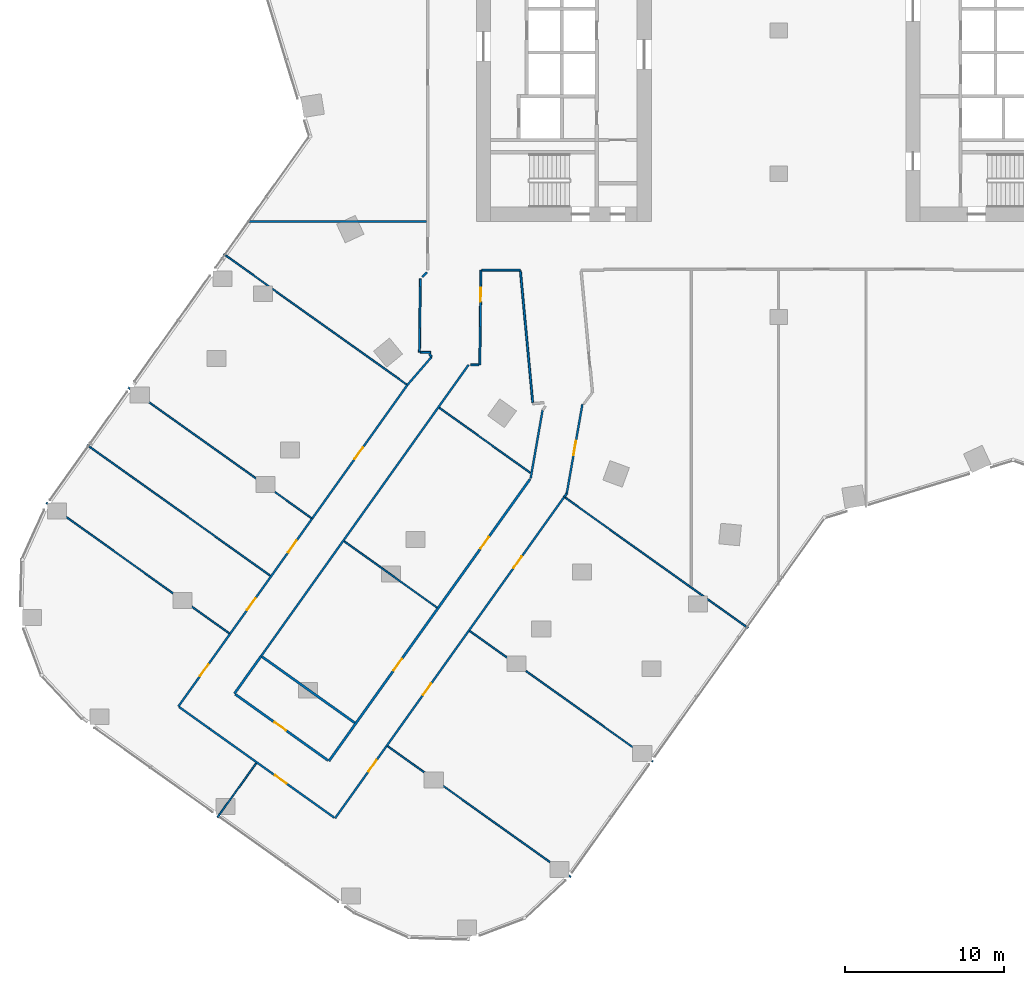
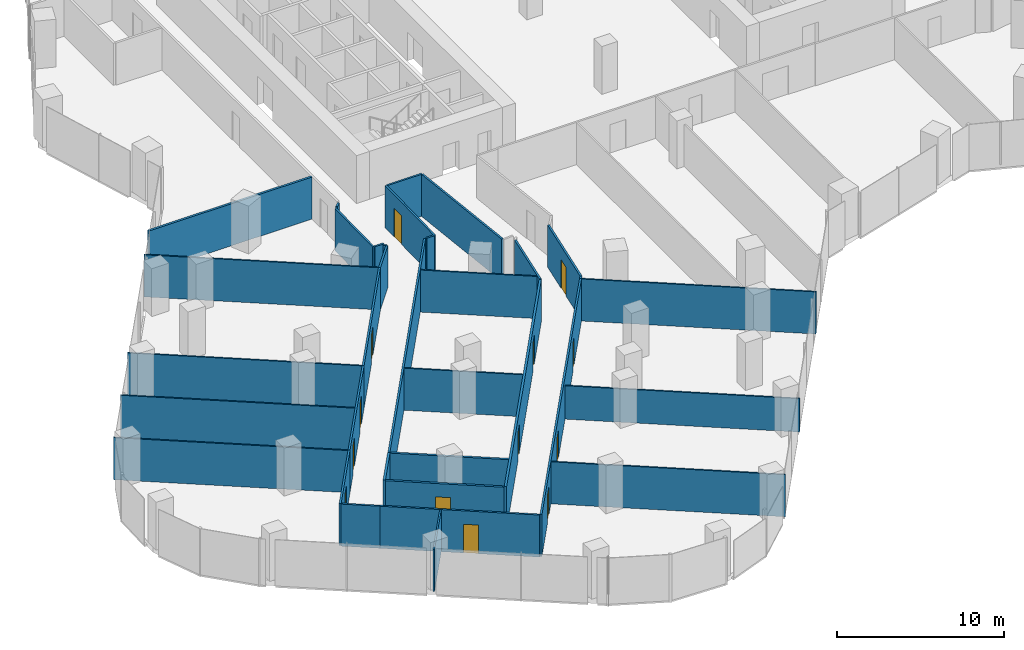
# One storey, part 23 of 31: 34 walls, 13 doors, 13 openings.
"""IFC4 building model written with IfcOpenShell, lengths in metres."""

from ifc_helpers import new_model, si_unit, direction, frame, frame_2d, origin, place, context, subcontext, project, spatial, rectangle, extrude, material, layer, layer_set, type_object, element, fill, save


model = new_model("IFC4")

# Units and contexts
model_context = context("Model", 3, precision=1e-05, world=origin(), true_north=direction((0.0, 1.0)))
body_context = subcontext(model_context, "Body", "Model", "MODEL_VIEW")
ifc_project = project(units=[si_unit("LENGTHUNIT", "METRE"), si_unit("AREAUNIT", "SQUARE_METRE"), si_unit("VOLUMEUNIT", "CUBIC_METRE"), si_unit("PLANEANGLEUNIT", "RADIAN"), si_unit("MASSUNIT", "GRAM", prefix="KILO")], contexts=[model_context])

# Site, building, storey
site_placement = place(None, origin())
site = spatial("IfcSite", under=ifc_project, at=site_placement, CompositionType="ELEMENT")
building_placement = place(site_placement, origin())
building = spatial("IfcBuilding", under=site, at=building_placement, Name="Orlundy Tower", CompositionType="ELEMENT")
storey_placement = place(building_placement, frame((0.0, 0.0, 94.699951171875)))
storey = spatial("IfcBuildingStorey", under=building, at=storey_placement, Name="L23", CompositionType="ELEMENT", Elevation=94.699951171875)

# Walls
ifc_material_1 = material(Name="Gypsum board partition")
ifc_layer_1 = layer(ifc_material_1, 0.10009765625)
ifc_layer_set_1 = layer_set([ifc_layer_1], Name="Floor partition 100")
wall_type_1 = type_object("IfcWallType", Name="Floor partition 100", PredefinedType="PARTITIONING", material=ifc_layer_set_1)
wall_1_placement = place(storey_placement, frame((-46.0439453125, -29.679931640625, 0.0), z_axis=(0.0, 0.0, 1.0), x_axis=(0.814139435618, -0.580669423486, 0.0)))
element("IfcWall", 1, at=wall_1_placement, inside=storey, type_object=wall_type_1, Name="wall-int-L23-010", PredefinedType="PARTITIONING", context=body_context, shape_type="SweptSolid", body=[
    extrude(rectangle(XDim=14.1337890625, YDim=0.10009765625, at=frame_2d((7.06689453125, 0.0))), origin(), (0.0, 0.0, 1.0), 3.080078125),
])
wall_2_placement = place(storey_placement, frame((-24.5810546875, -44.988037109375, 0.0), z_axis=(0.0, 0.0, 1.0), x_axis=(0.814126528241, -0.580687520112, 0.0)))
element("IfcWall", 2, at=wall_2_placement, inside=storey, type_object=wall_type_1, Name="wall-int-L23-012", PredefinedType="PARTITIONING", context=body_context, shape_type="SweptSolid", body=[
    extrude(rectangle(XDim=14.13671875, YDim=0.10009765625, at=frame_2d((7.068359375, 0.0))), origin(), (0.0, 0.0, 1.0), 3.080078125),
])
wall_3_placement = place(storey_placement, frame((-43.4599609375, -26.056884765625, 0.0), z_axis=(0.0, 0.0, 1.0), x_axis=(0.814102199131, -0.580721628124, 0.0)))
element("IfcWall", 3, at=wall_3_placement, inside=storey, type_object=wall_type_1, Name="wall-int-L23-013", PredefinedType="PARTITIONING", context=body_context, shape_type="SweptSolid", body=[
    extrude(rectangle(XDim=14.130859375, YDim=0.10009765625, at=frame_2d((7.0654296875, 0.0))), origin(), (0.0, 0.0, 1.0), 3.080078125),
])
wall_4_placement = place(storey_placement, frame((-40.875, -22.43310546875, 0.0), z_axis=(0.0, 0.0, 1.0), x_axis=(0.814073113892, -0.580762399987, 0.0)))
element("IfcWall", 4, at=wall_4_placement, inside=storey, type_object=wall_type_1, Name="wall-int-L23-014", PredefinedType="PARTITIONING", context=body_context, shape_type="SweptSolid", body=[
    extrude(rectangle(XDim=14.127685546875, YDim=0.10009765625, at=frame_2d((7.06396484375, 0.0))), origin(), (0.0, 0.0, 1.0), 3.080078125),
])
wall_5_placement = place(storey_placement, frame((-27.31689453125, -32.10400390625, 0.0), z_axis=(0.0, 0.0, 1.0), x_axis=(0.814119765042, -0.580697002031, 0.0)))
element("IfcWall", 5, at=wall_5_placement, inside=storey, type_object=wall_type_1, Name="wall-int-L23-015", PredefinedType="PARTITIONING", context=body_context, shape_type="SweptSolid", body=[
    extrude(rectangle(XDim=7.1708984375, YDim=0.10009765625, at=frame_2d((3.58544921875, 0.0))), origin(), (0.0, 0.0, 1.0), 3.080078125),
])
wall_6_placement = place(storey_placement, frame((-34.889892578125, -14.04296875, 0.0), z_axis=(0.0, 0.0, 1.0), x_axis=(0.814114134431, -0.580704895898, 0.0)))
element("IfcWall", 6, at=wall_6_placement, inside=storey, type_object=wall_type_1, Name="wall-int-L23-017", PredefinedType="PARTITIONING", context=body_context, shape_type="SweptSolid", body=[
    extrude(rectangle(XDim=14.12060546875, YDim=0.10009765625, at=frame_2d((7.060302734375, 0.0))), origin(), (0.0, 0.0, 1.0), 3.080078125),
])
wall_7_placement = place(storey_placement, frame((-21.3369140625, -23.708984375, 0.0), z_axis=(0.0, 0.0, 1.0), x_axis=(0.814073636445, -0.580761667507, 0.0)))
element("IfcWall", 7, at=wall_7_placement, inside=storey, type_object=wall_type_1, Name="wall-int-L23-018", PredefinedType="PARTITIONING", context=body_context, shape_type="SweptSolid", body=[
    extrude(rectangle(XDim=7.02880859375, YDim=0.10009765625, at=frame_2d((3.514404296875, 0.0))), origin(), (0.0, 0.0, 1.0), 3.080078125),
])
wall_8_placement = place(storey_placement, frame((-13.427001953125, -29.35107421875, 0.0), z_axis=(0.0, 0.0, 1.0), x_axis=(0.814070572037, -0.580765962969, 0.0)))
element("IfcWall", 8, at=wall_8_placement, inside=storey, type_object=wall_type_1, Name="wall-int-L23-019", PredefinedType="PARTITIONING", context=body_context, shape_type="SweptSolid", body=[
    extrude(rectangle(XDim=14.136474609375, YDim=0.10009765625, at=frame_2d((7.068359375, 0.0))), origin(), (0.0, 0.0, 1.0), 3.080078125),
])
wall_9_placement = place(storey_placement, frame((-35.277099609375, -49.4580078125, 0.0), z_axis=(0.0, 0.0, 1.0), x_axis=(0.580636826357, 0.814162683914, 0.0)))
element("IfcWall", 9, at=wall_9_placement, inside=storey, type_object=wall_type_1, Name="wall-int-L23-054", PredefinedType="PARTITIONING", context=body_context, shape_type="SweptSolid", body=[
    extrude(rectangle(XDim=4.18701171875, YDim=0.10009765625, at=frame_2d((2.093505859375, 0.0))), origin(), (0.0, 0.0, 1.0), 3.080078125),
])
ifc_material_2 = material(Name="Gypsum board partition")
ifc_layer_2 = layer(ifc_material_2, 0.10009765625)
ifc_layer_set_2 = layer_set([ifc_layer_2], Name="Floor partition 100 B")
wall_type_2 = type_object("IfcWallType", Name="Floor partition 100 B", PredefinedType="PARTITIONING", material=ifc_layer_set_2)
wall_10_placement = place(storey_placement, frame((-19.4130859375, -37.741943359375, 0.0), z_axis=(0.0, 0.0, 1.0), x_axis=(0.81409387042, -0.580733303801, 0.0)))
element("IfcWall", 10, at=wall_10_placement, inside=storey, type_object=wall_type_2, Name="wall-int-L23-016", PredefinedType="PARTITIONING", context=body_context, shape_type="SweptSolid", body=[
    extrude(rectangle(XDim=14.13720703125, YDim=0.10009765625, at=frame_2d((7.068603515625, 0.0))), origin(), (0.0, 0.0, 1.0), 2.445068359375),
])
ifc_material_3 = material(Name="Gypsum board partition, double layer")
ifc_layer_3 = layer(ifc_material_3, 0.125)
ifc_layer_set_3 = layer_set([ifc_layer_3], Name="Floor partition 125")
wall_type_3 = type_object("IfcWallType", Name="Floor partition 125", PredefinedType="PARTITIONING", material=ifc_layer_set_3)
wall_11_placement = place(storey_placement, frame((-16.23388671875, -15.113037109375, 0.0), z_axis=(0.0, 0.0, 1.0), x_axis=(0.093098705764, -0.995656884165, 0.0)))
element("IfcWall", 11, at=wall_11_placement, inside=storey, type_object=wall_type_3, Name="wall-int-L23-003", PredefinedType="PARTITIONING", context=body_context, shape_type="SweptSolid", body=[
    extrude(rectangle(XDim=8.31298828125, YDim=0.125, at=frame_2d((4.156494140625, 0.0))), origin(), (0.0, 0.0, 1.0), 3.080078125),
])
wall_12_placement = place(storey_placement, frame((-21.955078125, -20.330078125, 0.0), z_axis=(0.0, 0.0, 1.0), x_axis=(0.635933908165, -0.771743522451, 0.0)))
element("IfcWall", 12, at=wall_12_placement, inside=storey, type_object=wall_type_3, Name="wall-int-L23-005", PredefinedType="PARTITIONING", context=body_context, shape_type="SweptSolid", body=[
    extrude(rectangle(XDim=0.2265625, YDim=0.125, at=frame_2d((0.11328125, 0.0))), origin(), (0.0, 0.0, 1.0), 3.080078125),
])
wall_13_placement = place(storey_placement, frame((-37.68505859375, -42.52099609375, 0.0), z_axis=(0.0, 0.0, 1.0), x_axis=(0.81441767076, -0.580279120385, 0.0)))
element("IfcWall", 13, at=wall_13_placement, inside=storey, type_object=wall_type_3, Name="wall-int-L23-007", PredefinedType="PARTITIONING", context=body_context, shape_type="SweptSolid", body=[
    extrude(rectangle(XDim=2.336669921875, YDim=0.125, at=frame_2d((1.16845703125, 0.0))), origin(), (0.0, 0.0, 1.0), 3.080078125),
])

# Wall, opening, door
wall_14_placement = place(storey_placement, frame((-27.93798828125, -49.472900390625, 0.0), z_axis=(0.0, 0.0, 1.0), x_axis=(-0.814120225936, 0.580696355871, 0.0)))
wall_14 = element("IfcWall", 14, at=wall_14_placement, inside=storey, type_object=wall_type_3, Name="wall-int-L23-008", PredefinedType="PARTITIONING", context=body_context, shape_type="SweptSolid", body=[
    extrude(rectangle(XDim=9.635009765625, YDim=0.125, at=frame_2d((4.8173828125, 0.0))), origin(), (0.0, 0.0, 1.0), 3.080078125),
])
opening_1_placement = place(wall_14_placement, frame((3.68408203125, 0.0, 0.0)))
opening_1 = element("IfcOpeningElement", 15, at=opening_1_placement, cuts=wall_14, Name="Opening 18114", PredefinedType="OPENING", context=body_context, shape_type="SweptSolid", body=[
    extrude(rectangle(XDim=0.89990234375, YDim=2.10009765625, at=frame_2d((0.449951171875, 1.050048828125))), frame((0.0, 0.072509765625, 0.0), z_axis=(0.0, -1.0, 0.0), x_axis=(1.0, 0.0, 0.0)), (0.0, 0.0, 1.0), 0.14501953125),
])
ifc_material_4 = material(Name="Timber door leaf", Category="wood")
door_type_1 = type_object("IfcDoorType", Name="Floor door single 900 FD30S", OperationType="NOTDEFINED", PredefinedType="DOOR", material=ifc_material_4)
door_1_placement = place(opening_1_placement, origin())
door_1 = element("IfcDoor", 16, at=door_1_placement, inside=storey, type_object=door_type_1, Name="Door 18114", OperationType="SINGLE_SWING_LEFT", OverallHeight=2.10009765625, OverallWidth=0.89990234375, PredefinedType="DOOR", context=body_context, shape_type="SweptSolid", body=[
    extrude(rectangle(XDim=0.89990234375, YDim=2.10009765625, at=frame_2d((0.449951171875, 1.050048828125))), frame((0.0, 0.02490234375, 0.0), z_axis=(0.0, -1.0, 0.0), x_axis=(1.0, 0.0, 0.0)), (0.0, 0.0, 1.0), 0.050048828125),
])
fill(opening_1, door_1)

# Walls
wall_15_placement = place(storey_placement, frame((-19.367919921875, -21.006103515625, 0.0), z_axis=(0.0, 0.0, 1.0), x_axis=(0.999935744707, -0.011336068906, 0.0)))
element("IfcWall", 17, at=wall_15_placement, inside=storey, type_object=wall_type_3, Name="wall-int-L23-029", PredefinedType="PARTITIONING", context=body_context, shape_type="SweptSolid", body=[
    extrude(rectangle(XDim=0.516845703125, YDim=0.125, at=frame_2d((0.25830078125, 0.0))), origin(), (0.0, 0.0, 1.0), 3.080078125),
])
wall_16_placement = place(storey_placement, frame((-22.51708984375, -20.217041015625, 0.0), z_axis=(0.0, 0.0, 1.0), x_axis=(0.99993827732, -0.011110425304, 0.0)))
element("IfcWall", 18, at=wall_16_placement, inside=storey, type_object=wall_type_3, Name="wall-int-L23-030", PredefinedType="PARTITIONING", context=body_context, shape_type="SweptSolid", body=[
    extrude(rectangle(XDim=0.63720703125, YDim=0.125, at=frame_2d((0.318603515625, 0.0))), origin(), (0.0, 0.0, 1.0), 3.080078125),
])
wall_17_placement = place(storey_placement, frame((-18.654052734375, -15.051025390625, 0.0), z_axis=(0.0, 0.0, 1.0), x_axis=(1.0, 0.0, 0.0)))
element("IfcWall", 19, at=wall_17_placement, inside=storey, type_object=wall_type_3, Name="wall-int-L23-031", PredefinedType="PARTITIONING", context=body_context, shape_type="SweptSolid", body=[
    extrude(rectangle(XDim=2.4140625, YDim=0.125, at=frame_2d((1.20703125, 0.0))), origin(), (0.0, 0.0, 1.0), 3.080078125),
])
wall_18_placement = place(storey_placement, frame((-21.81103515625, -20.5048828125, 0.0), z_axis=(0.0, 0.0, 1.0), x_axis=(-0.65355749983, -0.756876868728, 0.0)))
element("IfcWall", 20, at=wall_18_placement, inside=storey, type_object=wall_type_3, Name="wall-int-L23-047", PredefinedType="PARTITIONING", context=body_context, shape_type="SweptSolid", body=[
    extrude(rectangle(XDim=2.343994140625, YDim=0.125, at=frame_2d((1.171875, 0.0))), origin(), (0.0, 0.0, 1.0), 3.080078125),
])
wall_19_placement = place(storey_placement, frame((-22.39501953125, -15.48388671875, 0.0), z_axis=(0.0, 0.0, 1.0), x_axis=(0.712030137996, 0.702148903428, 0.0)))
element("IfcWall", 21, at=wall_19_placement, inside=storey, type_object=wall_type_3, Name="wall-int-L23-048", PredefinedType="PARTITIONING", context=body_context, shape_type="SweptSolid", body=[
    extrude(rectangle(XDim=0.419921875, YDim=0.125, at=frame_2d((0.2099609375, 0.0))), origin(), (0.0, 0.0, 1.0), 3.080078125),
])
wall_20_placement = place(storey_placement, frame((-13.47802734375, -29.31494140625, 0.0), z_axis=(0.0, 0.0, 1.0), x_axis=(0.581578261401, 0.813490458374, 0.0)))
element("IfcWall", 22, at=wall_20_placement, inside=storey, type_object=wall_type_3, Name="wall-int-L23-051", PredefinedType="PARTITIONING", context=body_context, shape_type="SweptSolid", body=[
    extrude(rectangle(XDim=0.271484375, YDim=0.125, at=frame_2d((0.1357421875, 0.0))), origin(), (0.0, 0.0, 1.0), 3.080078125),
])

# Wall, openings, doors
wall_21_placement = place(storey_placement, frame((-13.47998046875, -29.31201171875, 0.0), z_axis=(0.0, 0.0, 1.0), x_axis=(-0.580603145907, -0.814186702767, 0.0)))
wall_21 = element("IfcWall", 23, at=wall_21_placement, inside=storey, type_object=wall_type_3, Name="wall-int-L23-052", PredefinedType="PARTITIONING", context=body_context, shape_type="SweptSolid", body=[
    extrude(rectangle(XDim=24.808837890625, YDim=0.125, at=frame_2d((12.404296875, 0.0))), origin(), (0.0, 0.0, 1.0), 3.080078125),
])
opening_2_placement = place(wall_21_placement, frame((4.60107421875, 0.0, 0.0)))
opening_2 = element("IfcOpeningElement", 24, at=opening_2_placement, cuts=wall_21, Name="Opening 18109", PredefinedType="OPENING", context=body_context, shape_type="SweptSolid", body=[
    extrude(rectangle(XDim=0.89990234375, YDim=2.10009765625, at=frame_2d((0.449951171875, 1.050048828125))), frame((0.0, 0.072509765625, 0.0), z_axis=(0.0, -1.0, 0.0), x_axis=(1.0, 0.0, 0.0)), (0.0, 0.0, 1.0), 0.14501953125),
])
opening_3_placement = place(wall_21_placement, frame((14.408447265625, 0.0, 0.0)))
opening_3 = element("IfcOpeningElement", 25, at=opening_3_placement, cuts=wall_21, Name="Opening 18110", PredefinedType="OPENING", context=body_context, shape_type="SweptSolid", body=[
    extrude(rectangle(XDim=0.89990234375, YDim=2.10009765625, at=frame_2d((0.449951171875, 1.050048828125))), frame((0.0, 0.072509765625, 0.0), z_axis=(0.0, -1.0, 0.0), x_axis=(1.0, 0.0, 0.0)), (0.0, 0.0, 1.0), 0.14501953125),
])
opening_4_placement = place(wall_21_placement, frame((20.30859375, 0.0, 0.0)))
opening_4 = element("IfcOpeningElement", 26, at=opening_4_placement, cuts=wall_21, Name="Opening 18115", PredefinedType="OPENING", context=body_context, shape_type="SweptSolid", body=[
    extrude(rectangle(XDim=0.89990234375, YDim=2.10009765625, at=frame_2d((0.449951171875, 1.050048828125))), frame((0.0, 0.072509765625, 0.0), z_axis=(0.0, -1.0, 0.0), x_axis=(1.0, 0.0, 0.0)), (0.0, 0.0, 1.0), 0.14501953125),
])
door_2_placement = place(opening_2_placement, origin())
door_2 = element("IfcDoor", 27, at=door_2_placement, inside=storey, type_object=door_type_1, Name="Door 18109", OperationType="SINGLE_SWING_LEFT", OverallHeight=2.10009765625, OverallWidth=0.89990234375, PredefinedType="DOOR", context=body_context, shape_type="SweptSolid", body=[
    extrude(rectangle(XDim=0.89990234375, YDim=2.10009765625, at=frame_2d((0.449951171875, 1.050048828125))), frame((0.0, 0.02490234375, 0.0), z_axis=(0.0, -1.0, 0.0), x_axis=(1.0, 0.0, 0.0)), (0.0, 0.0, 1.0), 0.050048828125),
])
fill(opening_2, door_2)
door_3_placement = place(opening_3_placement, origin())
door_3 = element("IfcDoor", 28, at=door_3_placement, inside=storey, type_object=door_type_1, Name="Door 18110", OperationType="SINGLE_SWING_RIGHT", OverallHeight=2.10009765625, OverallWidth=0.89990234375, PredefinedType="DOOR", context=body_context, shape_type="SweptSolid", body=[
    extrude(rectangle(XDim=0.89990234375, YDim=2.10009765625, at=frame_2d((0.449951171875, 1.050048828125))), frame((0.0, 0.02490234375, 0.0), z_axis=(0.0, -1.0, 0.0), x_axis=(1.0, 0.0, 0.0)), (0.0, 0.0, 1.0), 0.050048828125),
])
fill(opening_3, door_3)
door_4_placement = place(opening_4_placement, origin())
door_4 = element("IfcDoor", 29, at=door_4_placement, inside=storey, type_object=door_type_1, Name="Door 18115", OperationType="SINGLE_SWING_RIGHT", OverallHeight=2.10009765625, OverallWidth=0.89990234375, PredefinedType="DOOR", context=body_context, shape_type="SweptSolid", body=[
    extrude(rectangle(XDim=0.89990234375, YDim=2.10009765625, at=frame_2d((0.449951171875, 1.050048828125))), frame((0.0, 0.02490234375, 0.0), z_axis=(0.0, -1.0, 0.0), x_axis=(1.0, 0.0, 0.0)), (0.0, 0.0, 1.0), 0.050048828125),
])
fill(opening_4, door_4)

# Wall
wall_22_placement = place(storey_placement, frame((-32.531982421875, -39.31689453125, 0.0), z_axis=(0.0, 0.0, 1.0), x_axis=(0.58017556932, 0.814491441799, 0.0)))
element("IfcWall", 30, at=wall_22_placement, inside=storey, type_object=wall_type_3, Name="wall-int-L23-055", PredefinedType="PARTITIONING", context=body_context, shape_type="SweptSolid", body=[
    extrude(rectangle(XDim=22.482666015625, YDim=0.125, at=frame_2d((11.2412109375, 0.0))), origin(), (0.0, 0.0, 1.0), 3.080078125),
])

# Wall, opening, door
wall_23_placement = place(storey_placement, frame((-37.736083984375, -42.485107421875, 0.0), z_axis=(0.0, 0.0, 1.0), x_axis=(0.580223472601, 0.814457317385, 0.0)))
wall_23 = element("IfcWall", 31, at=wall_23_placement, inside=storey, type_object=wall_type_3, Name="wall-int-L23-057", PredefinedType="PARTITIONING", context=body_context, shape_type="SweptSolid", body=[
    extrude(rectangle(XDim=5.601318359375, YDim=0.125, at=frame_2d((2.80078125, 0.0))), origin(), (0.0, 0.0, 1.0), 3.080078125),
])
opening_5_placement = place(wall_23_placement, frame((2.35009765625, 0.0, 0.0)))
opening_5 = element("IfcOpeningElement", 32, at=opening_5_placement, cuts=wall_23, Name="Opening 18116", PredefinedType="OPENING", context=body_context, shape_type="SweptSolid", body=[
    extrude(rectangle(XDim=0.89990234375, YDim=2.10009765625, at=frame_2d((0.449951171875, 1.050048828125))), frame((0.0, 0.072509765625, 0.0), z_axis=(0.0, -1.0, 0.0), x_axis=(1.0, 0.0, 0.0)), (0.0, 0.0, 1.0), 0.14501953125),
])
door_5_placement = place(opening_5_placement, origin())
door_5 = element("IfcDoor", 33, at=door_5_placement, inside=storey, type_object=door_type_1, Name="Door 18116", OperationType="SINGLE_SWING_LEFT", OverallHeight=2.10009765625, OverallWidth=0.89990234375, PredefinedType="DOOR", context=body_context, shape_type="SweptSolid", body=[
    extrude(rectangle(XDim=0.89990234375, YDim=2.10009765625, at=frame_2d((0.449951171875, 1.050048828125))), frame((0.0, 0.02490234375, 0.0), z_axis=(0.0, -1.0, 0.0), x_axis=(1.0, 0.0, 0.0)), (0.0, 0.0, 1.0), 0.050048828125),
])
fill(opening_5, door_5)

wall_24_placement = place(storey_placement, frame((-29.322998046875, -30.674072265625, 0.0), z_axis=(0.0, 0.0, 1.0), x_axis=(0.580180127153, 0.814488195161, 0.0)))
wall_24 = element("IfcWall", 34, at=wall_24_placement, inside=storey, type_object=wall_type_3, Name="wall-int-L23-058", PredefinedType="PARTITIONING", context=body_context, shape_type="SweptSolid", body=[
    extrude(rectangle(XDim=10.30712890625, YDim=0.125, at=frame_2d((5.153564453125, 0.0))), origin(), (0.0, 0.0, 1.0), 3.080078125),
])
opening_6_placement = place(wall_24_placement, frame((4.60009765625, 0.0, 0.0)))
opening_6 = element("IfcOpeningElement", 35, at=opening_6_placement, cuts=wall_24, Name="Opening 18117", PredefinedType="OPENING", context=body_context, shape_type="SweptSolid", body=[
    extrude(rectangle(XDim=0.89990234375, YDim=2.10009765625, at=frame_2d((0.449951171875, 1.050048828125))), frame((0.0, 0.072509765625, 0.0), z_axis=(0.0, -1.0, 0.0), x_axis=(1.0, 0.0, 0.0)), (0.0, 0.0, 1.0), 0.14501953125),
])
door_6_placement = place(opening_6_placement, origin())
door_6 = element("IfcDoor", 36, at=door_6_placement, inside=storey, type_object=door_type_1, Name="Door 18117", OperationType="SINGLE_SWING_LEFT", OverallHeight=2.10009765625, OverallWidth=0.89990234375, PredefinedType="DOOR", context=body_context, shape_type="SweptSolid", body=[
    extrude(rectangle(XDim=0.89990234375, YDim=2.10009765625, at=frame_2d((0.449951171875, 1.050048828125))), frame((0.0, 0.02490234375, 0.0), z_axis=(0.0, -1.0, 0.0), x_axis=(1.0, 0.0, 0.0)), (0.0, 0.0, 1.0), 0.050048828125),
])
fill(opening_6, door_6)

# Wall, openings, doors
wall_25_placement = place(storey_placement, frame((-34.486083984375, -37.923095703125, 0.0), z_axis=(0.0, 0.0, 1.0), x_axis=(0.580137406413, 0.814518624514, 0.0)))
wall_25 = element("IfcWall", 37, at=wall_25_placement, inside=storey, type_object=wall_type_3, Name="wall-int-L23-059", PredefinedType="PARTITIONING", context=body_context, shape_type="SweptSolid", body=[
    extrude(rectangle(XDim=8.899658203125, YDim=0.125, at=frame_2d((4.44970703125, 0.0))), origin(), (0.0, 0.0, 1.0), 3.080078125),
])
opening_7_placement = place(wall_25_placement, frame((6.29931640625, 0.0, 0.0)))
opening_7 = element("IfcOpeningElement", 38, at=opening_7_placement, cuts=wall_25, Name="Opening 18118", PredefinedType="OPENING", context=body_context, shape_type="SweptSolid", body=[
    extrude(rectangle(XDim=0.89990234375, YDim=2.10009765625, at=frame_2d((0.449951171875, 1.050048828125))), frame((0.0, 0.072509765625, 0.0), z_axis=(0.0, -1.0, 0.0), x_axis=(1.0, 0.0, 0.0)), (0.0, 0.0, 1.0), 0.14501953125),
])
opening_8_placement = place(wall_25_placement, frame((1.85009765625, 0.0, 0.0)))
opening_8 = element("IfcOpeningElement", 39, at=opening_8_placement, cuts=wall_25, Name="Opening 18119", PredefinedType="OPENING", context=body_context, shape_type="SweptSolid", body=[
    extrude(rectangle(XDim=0.89990234375, YDim=2.10009765625, at=frame_2d((0.449951171875, 1.050048828125))), frame((0.0, 0.072509765625, 0.0), z_axis=(0.0, -1.0, 0.0), x_axis=(1.0, 0.0, 0.0)), (0.0, 0.0, 1.0), 0.14501953125),
])
door_7_placement = place(opening_7_placement, origin())
door_7 = element("IfcDoor", 40, at=door_7_placement, inside=storey, type_object=door_type_1, Name="Door 18118", OperationType="SINGLE_SWING_RIGHT", OverallHeight=2.10009765625, OverallWidth=0.89990234375, PredefinedType="DOOR", context=body_context, shape_type="SweptSolid", body=[
    extrude(rectangle(XDim=0.89990234375, YDim=2.10009765625, at=frame_2d((0.449951171875, 1.050048828125))), frame((0.0, 0.02490234375, 0.0), z_axis=(0.0, -1.0, 0.0), x_axis=(1.0, 0.0, 0.0)), (0.0, 0.0, 1.0), 0.050048828125),
])
fill(opening_7, door_7)
door_8_placement = place(opening_8_placement, origin())
door_8 = element("IfcDoor", 41, at=door_8_placement, inside=storey, type_object=door_type_1, Name="Door 18119", OperationType="SINGLE_SWING_LEFT", OverallHeight=2.10009765625, OverallWidth=0.89990234375, PredefinedType="DOOR", context=body_context, shape_type="SweptSolid", body=[
    extrude(rectangle(XDim=0.89990234375, YDim=2.10009765625, at=frame_2d((0.449951171875, 1.050048828125))), frame((0.0, 0.02490234375, 0.0), z_axis=(0.0, -1.0, 0.0), x_axis=(1.0, 0.0, 0.0)), (0.0, 0.0, 1.0), 0.050048828125),
])
fill(opening_8, door_8)

# Wall, opening, door
wall_26_placement = place(storey_placement, frame((-12.3369140625, -23.48388671875, 0.0), z_axis=(0.0, 0.0, 1.0), x_axis=(-0.172645513087, -0.984984023632, 0.0)))
wall_26 = element("IfcWall", 42, at=wall_26_placement, inside=storey, type_object=wall_type_3, Name="wall-int-L23-071", PredefinedType="PARTITIONING", context=body_context, shape_type="SweptSolid", body=[
    extrude(rectangle(XDim=5.694580078125, YDim=0.125, at=frame_2d((2.84716796875, 0.0))), origin(), (0.0, 0.0, 1.0), 3.080078125),
])
opening_9_placement = place(wall_26_placement, frame((2.35009765625, 0.0, 0.0)))
opening_9 = element("IfcOpeningElement", 43, at=opening_9_placement, cuts=wall_26, Name="Opening 18123", PredefinedType="OPENING", context=body_context, shape_type="SweptSolid", body=[
    extrude(rectangle(XDim=0.89990234375, YDim=2.10009765625, at=frame_2d((0.449951171875, 1.050048828125))), frame((0.0, 0.072509765625, 0.0), z_axis=(0.0, -1.0, 0.0), x_axis=(1.0, 0.0, 0.0)), (0.0, 0.0, 1.0), 0.14501953125),
])
door_9_placement = place(opening_9_placement, origin())
door_9 = element("IfcDoor", 44, at=door_9_placement, inside=storey, type_object=door_type_1, Name="Door 18123", OperationType="SINGLE_SWING_LEFT", OverallHeight=2.10009765625, OverallWidth=0.89990234375, PredefinedType="DOOR", context=body_context, shape_type="SweptSolid", body=[
    extrude(rectangle(XDim=0.89990234375, YDim=2.10009765625, at=frame_2d((0.449951171875, 1.050048828125))), frame((0.0, 0.02490234375, 0.0), z_axis=(0.0, -1.0, 0.0), x_axis=(1.0, 0.0, 0.0)), (0.0, 0.0, 1.0), 0.050048828125),
])
fill(opening_9, door_9)

# Wall
wall_27_placement = place(storey_placement, frame((-14.840087890625, -23.85693359375, 0.0), z_axis=(0.0, 0.0, 1.0), x_axis=(-0.172581751395, -0.984995197494, 0.0)))
element("IfcWall", 45, at=wall_27_placement, inside=storey, type_object=wall_type_3, Name="wall-int-L23-072", PredefinedType="PARTITIONING", context=body_context, shape_type="SweptSolid", body=[
    extrude(rectangle(XDim=4.351318359375, YDim=0.125, at=frame_2d((2.17578125, 0.0))), origin(), (0.0, 0.0, 1.0), 3.080078125),
])

# Wall, opening, door
wall_28_placement = place(storey_placement, frame((-18.716064453125, -15.050048828125, 0.0), z_axis=(0.0, 0.0, 1.0), x_axis=(-0.012077402732, -0.999927065512, 0.0)))
wall_28 = element("IfcWall", 46, at=wall_28_placement, inside=storey, type_object=wall_type_3, Name="wall-int-L23-073", PredefinedType="PARTITIONING", context=body_context, shape_type="SweptSolid", body=[
    extrude(rectangle(XDim=5.96337890625, YDim=0.125, at=frame_2d((2.981689453125, 0.0))), origin(), (0.0, 0.0, 1.0), 3.080078125),
])
opening_10_placement = place(wall_28_placement, frame((1.10107421875, 0.0, 0.0)))
opening_10 = element("IfcOpeningElement", 47, at=opening_10_placement, cuts=wall_28, Name="Opening 18122", PredefinedType="OPENING", context=body_context, shape_type="SweptSolid", body=[
    extrude(rectangle(XDim=0.89990234375, YDim=2.10009765625, at=frame_2d((0.449951171875, 1.050048828125))), frame((0.0, 0.072509765625, 0.0), z_axis=(0.0, -1.0, 0.0), x_axis=(1.0, 0.0, 0.0)), (0.0, 0.0, 1.0), 0.14501953125),
])
door_10_placement = place(opening_10_placement, origin())
door_10 = element("IfcDoor", 48, at=door_10_placement, inside=storey, type_object=door_type_1, Name="Door 18122", OperationType="SINGLE_SWING_LEFT", OverallHeight=2.10009765625, OverallWidth=0.89990234375, PredefinedType="DOOR", context=body_context, shape_type="SweptSolid", body=[
    extrude(rectangle(XDim=0.89990234375, YDim=2.10009765625, at=frame_2d((0.449951171875, 1.050048828125))), frame((0.0, 0.02490234375, 0.0), z_axis=(0.0, -1.0, 0.0), x_axis=(1.0, 0.0, 0.0)), (0.0, 0.0, 1.0), 0.050048828125),
])
fill(opening_10, door_10)

# Wall
wall_29_placement = place(storey_placement, frame((-22.580078125, -20.216064453125, 0.0), z_axis=(0.0, 0.0, 1.0), x_axis=(0.011952390981, 0.999928567624, 0.0)))
element("IfcWall", 49, at=wall_29_placement, inside=storey, type_object=wall_type_3, Name="wall-int-L23-074", PredefinedType="PARTITIONING", context=body_context, shape_type="SweptSolid", body=[
    extrude(rectangle(XDim=4.6162109375, YDim=0.125, at=frame_2d((2.30810546875, 0.0))), origin(), (0.0, 0.0, 1.0), 3.080078125),
])

# Wall, opening, door
ifc_material_5 = material(Name="Blockwork shaft wall", Category="masonry")
ifc_layer_4 = layer(ifc_material_5, 0.14990234375)
ifc_layer_set_4 = layer_set([ifc_layer_4], Name="Floor shaft wall 150")
wall_type_4 = type_object("IfcWallType", Name="Floor shaft wall 150", PredefinedType="PARTITIONING", material=ifc_layer_set_4)
wall_30_placement = place(storey_placement, frame((-34.153076171875, -41.722900390625, 0.0), z_axis=(0.0, 0.0, 1.0), x_axis=(0.814226878362, -0.580546803069, 0.0)))
wall_30 = element("IfcWall", 50, at=wall_30_placement, inside=storey, type_object=wall_type_4, Name="wall-int-L23-009", PredefinedType="PARTITIONING", context=body_context, shape_type="SweptSolid", body=[
    extrude(rectangle(XDim=7.150390625, YDim=0.14990234375, at=frame_2d((3.5751953125, 0.0))), origin(), (0.0, 0.0, 1.0), 3.080078125),
])
opening_11_placement = place(wall_30_placement, frame((3.02490234375, 0.0, 0.0)))
opening_11 = element("IfcOpeningElement", 51, at=opening_11_placement, cuts=wall_30, Name="Opening 18113", PredefinedType="OPENING", context=body_context, shape_type="SweptSolid", body=[
    extrude(rectangle(XDim=0.89990234375, YDim=2.10009765625, at=frame_2d((0.449951171875, 1.050048828125))), frame((0.0, 0.0849609375, 0.0), z_axis=(0.0, -1.0, 0.0), x_axis=(1.0, 0.0, 0.0)), (0.0, 0.0, 1.0), 0.169921875),
])
ifc_material_6 = material(Name="Timber door leaf", Category="wood")
door_type_2 = type_object("IfcDoorType", Name="Floor door single 900 FD60", OperationType="NOTDEFINED", PredefinedType="DOOR", material=ifc_material_6)
door_11_placement = place(opening_11_placement, origin())
door_11 = element("IfcDoor", 52, at=door_11_placement, inside=storey, type_object=door_type_2, Name="Door 18113", OperationType="SINGLE_SWING_LEFT", OverallHeight=2.10009765625, OverallWidth=0.89990234375, PredefinedType="DOOR", context=body_context, shape_type="SweptSolid", body=[
    extrude(rectangle(XDim=0.89990234375, YDim=2.10009765625, at=frame_2d((0.449951171875, 1.050048828125))), frame((0.0, 0.02490234375, 0.0), z_axis=(0.0, -1.0, 0.0), x_axis=(1.0, 0.0, 0.0)), (0.0, 0.0, 1.0), 0.050048828125),
])
fill(opening_11, door_11)

# Walls
wall_31_placement = place(storey_placement, frame((-32.470947265625, -39.361083984375, 0.0), z_axis=(0.0, 0.0, 1.0), x_axis=(0.814159942616, -0.580640670156, 0.0)))
element("IfcWall", 53, at=wall_31_placement, inside=storey, type_object=wall_type_4, Name="wall-int-L23-011", PredefinedType="PARTITIONING", context=body_context, shape_type="SweptSolid", body=[
    extrude(rectangle(XDim=7.152099609375, YDim=0.14990234375, at=frame_2d((3.576171875, 0.0))), origin(), (0.0, 0.0, 1.0), 3.080078125),
])
wall_32_placement = place(storey_placement, frame((-33.43310546875, -12.0, 0.0), z_axis=(0.0, 0.0, 1.0), x_axis=(1.0, 0.0, 0.0)))
element("IfcWall", 54, at=wall_32_placement, inside=storey, type_object=wall_type_4, Name="wall-int-L23-035", PredefinedType="PARTITIONING", context=body_context, shape_type="SweptSolid", body=[
    extrude(rectangle(XDim=11.30810546875, YDim=0.14990234375, at=frame_2d((5.654052734375, 0.0))), origin(), (0.0, 0.0, 1.0), 3.080078125),
])

# Wall, openings, doors
wall_33_placement = place(storey_placement, frame((-28.27001953125, -45.91796875, 0.0), z_axis=(0.0, 0.0, 1.0), x_axis=(0.580618548841, 0.81417571859, 0.0)))
wall_33 = element("IfcWall", 55, at=wall_33_placement, inside=storey, type_object=wall_type_4, Name="wall-int-L23-053", PredefinedType="PARTITIONING", context=body_context, shape_type="SweptSolid", body=[
    extrude(rectangle(XDim=21.771728515625, YDim=0.14990234375, at=frame_2d((10.8857421875, 0.0))), origin(), (0.0, 0.0, 1.0), 3.080078125),
])
opening_12_placement = place(wall_33_placement, frame((16.3994140625, 0.0, 0.0)))
opening_12 = element("IfcOpeningElement", 56, at=opening_12_placement, cuts=wall_33, Name="Opening 18111", PredefinedType="OPENING", context=body_context, shape_type="SweptSolid", body=[
    extrude(rectangle(XDim=0.89990234375, YDim=2.10009765625, at=frame_2d((0.449951171875, 1.050048828125))), frame((0.0, 0.0849609375, 0.0), z_axis=(0.0, -1.0, 0.0), x_axis=(1.0, 0.0, 0.0)), (0.0, 0.0, 1.0), 0.169921875),
])
opening_13_placement = place(wall_33_placement, frame((6.99853515625, 0.0, 0.0)))
opening_13 = element("IfcOpeningElement", 57, at=opening_13_placement, cuts=wall_33, Name="Opening 18112", PredefinedType="OPENING", context=body_context, shape_type="SweptSolid", body=[
    extrude(rectangle(XDim=0.89990234375, YDim=2.10009765625, at=frame_2d((0.449951171875, 1.050048828125))), frame((0.0, 0.0849609375, 0.0), z_axis=(0.0, -1.0, 0.0), x_axis=(1.0, 0.0, 0.0)), (0.0, 0.0, 1.0), 0.169921875),
])
door_12_placement = place(opening_12_placement, origin())
door_12 = element("IfcDoor", 58, at=door_12_placement, inside=storey, type_object=door_type_2, Name="Door 18111", OperationType="SINGLE_SWING_RIGHT", OverallHeight=2.10009765625, OverallWidth=0.89990234375, PredefinedType="DOOR", context=body_context, shape_type="SweptSolid", body=[
    extrude(rectangle(XDim=0.89990234375, YDim=2.10009765625, at=frame_2d((0.449951171875, 1.050048828125))), frame((0.0, 0.02490234375, 0.0), z_axis=(0.0, -1.0, 0.0), x_axis=(1.0, 0.0, 0.0)), (0.0, 0.0, 1.0), 0.050048828125),
])
fill(opening_12, door_12)
door_13_placement = place(opening_13_placement, origin())
door_13 = element("IfcDoor", 59, at=door_13_placement, inside=storey, type_object=door_type_2, Name="Door 18112", OperationType="SINGLE_SWING_LEFT", OverallHeight=2.10009765625, OverallWidth=0.89990234375, PredefinedType="DOOR", context=body_context, shape_type="SweptSolid", body=[
    extrude(rectangle(XDim=0.89990234375, YDim=2.10009765625, at=frame_2d((0.449951171875, 1.050048828125))), frame((0.0, 0.02490234375, 0.0), z_axis=(0.0, -1.0, 0.0), x_axis=(1.0, 0.0, 0.0)), (0.0, 0.0, 1.0), 0.050048828125),
])
fill(opening_13, door_13)

# Wall
wall_34_placement = place(storey_placement, frame((-34.214111328125, -41.678955078125, 0.0), z_axis=(0.0, 0.0, 1.0), x_axis=(0.580082812888, 0.814557505761, 0.0)))
element("IfcWall", 60, at=wall_34_placement, inside=storey, type_object=wall_type_4, Name="wall-int-L23-056", PredefinedType="PARTITIONING", context=body_context, shape_type="SweptSolid", body=[
    extrude(rectangle(XDim=2.89990234375, YDim=0.14990234375, at=frame_2d((1.449951171875, 0.0))), origin(), (0.0, 0.0, 1.0), 3.080078125),
])

save(model, "model.ifc")
